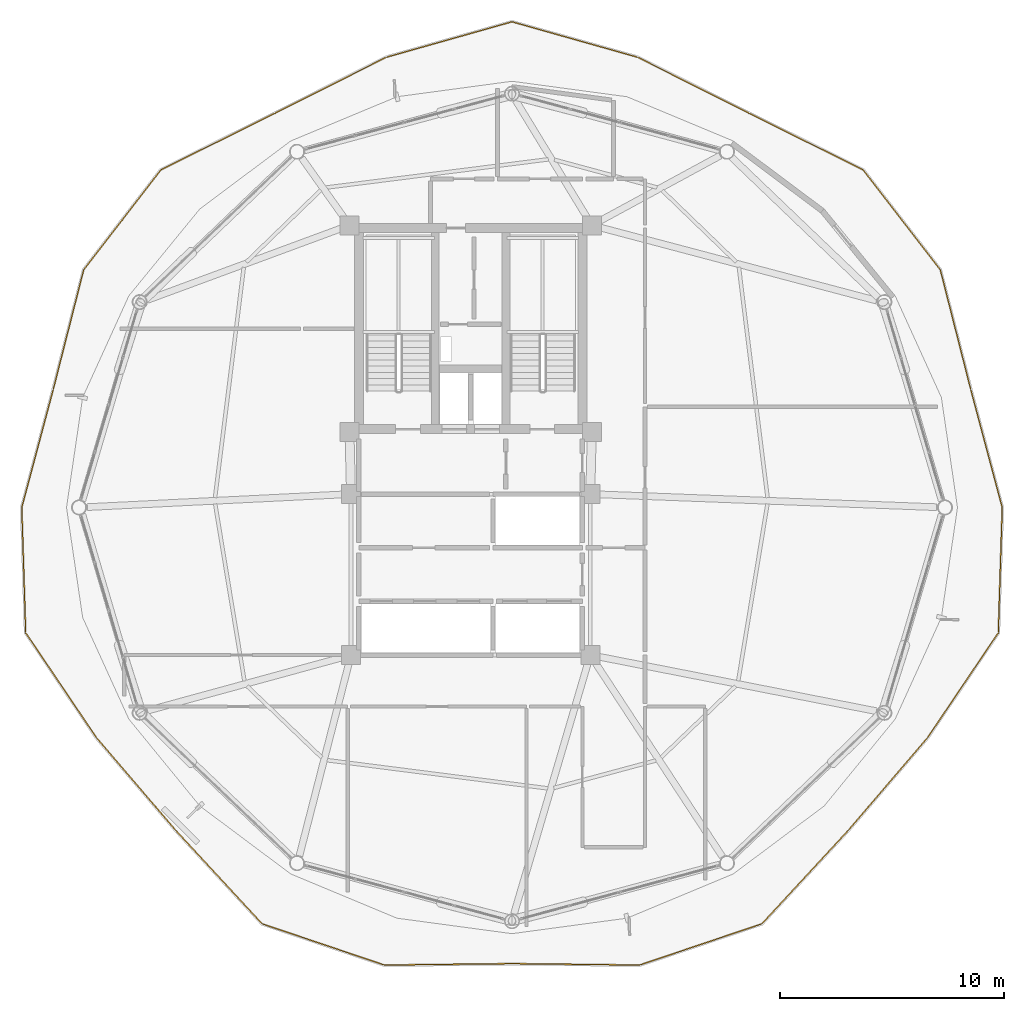
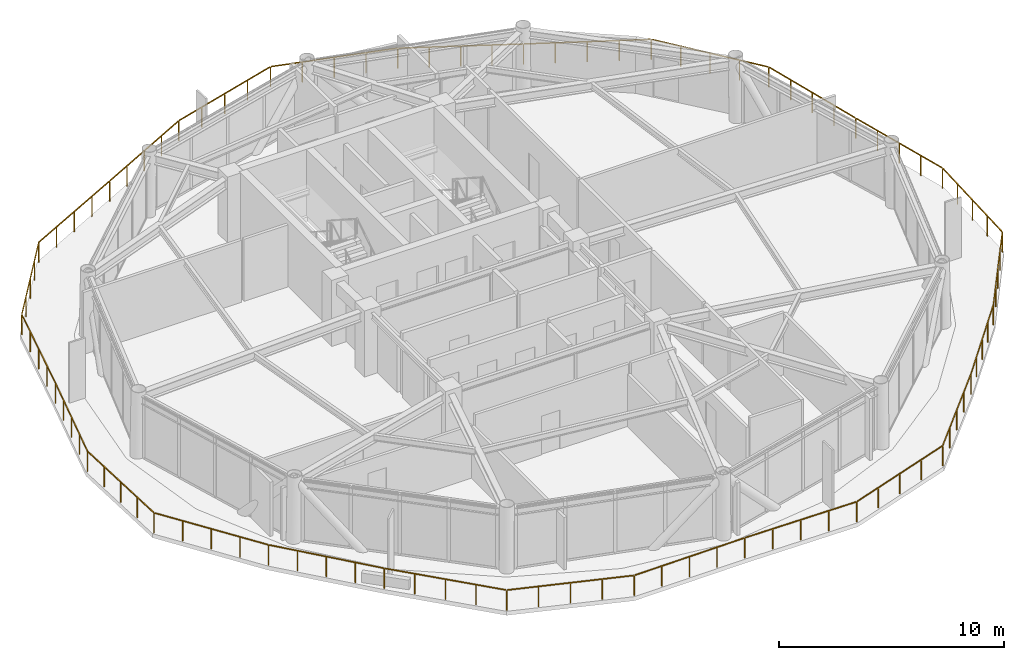
# One storey, part 27 of 28: 1 railing.
"""IFC4 building model written with IfcOpenShell, lengths in metres."""

import ifcopenshell
import ifcopenshell.guid

model = None  # the IFC model being written
_history = None  # IfcOwnerHistory: only IFC2X3 demands one
_inside = {}  # id of a spatial element -> (the spatial element, [elements in it])
_under = {}  # id of a project, library or spatial element -> (it, [spatial elements below it])
_declared = {}  # id of a project -> (the project, [libraries it declares])
_typed = {}  # id of a type object -> (the type object, [elements of that type])
_made_of = {}  # id of a material, layer set ... -> (it, [elements and type objects made of it])


def new_model(schema):
    """Start an empty IFC model of exactly this schema.

    Asked for "IFC4X3", IfcOpenShell would pick the latest addendum, in which some entities
    have other attributes; the version numbers below select the first issue.
    IFC2X3 requires an IfcOwnerHistory on every rooted entity: one is made here for all.
    """
    global model, _history
    if schema == "IFC4X3":
        model = ifcopenshell.file(schema_version=(4, 3, 0, 0))
    else:
        model = ifcopenshell.file(schema=schema)
    _inside.clear()
    _under.clear()
    _declared.clear()
    _typed.clear()
    _made_of.clear()
    _history = None
    if model.schema == "IFC2X3":
        org = make("IfcOrganization", Name="unknown")
        user = make(
            "IfcPersonAndOrganization",
            ThePerson=make("IfcPerson", FamilyName="unknown"),
            TheOrganization=org,
        )
        app = make(
            "IfcApplication",
            ApplicationDeveloper=org,
            Version="unknown",
            ApplicationFullName="unknown",
            ApplicationIdentifier="unknown",
        )
        _history = make(
            "IfcOwnerHistory",
            OwningUser=user,
            OwningApplication=app,
            ChangeAction="ADDED",
            CreationDate=0,
        )
    return model


def make(cls, **values):
    """One entity of the class cls with the attributes given. An attribute that is None is left unset."""
    return model.create_entity(
        cls, **{name: value for name, value in values.items() if value is not None}
    )


def rooted(cls, **values):
    """An entity with a GlobalId (a new one), such as an element, a storey or a relation."""
    return make(cls, GlobalId=ifcopenshell.guid.new(), OwnerHistory=_history, **values)


def si_unit(unit_type, name, prefix=None):
    """IfcSIUnit, for example si_unit("LENGTHUNIT", "METRE", prefix="MILLI")."""
    return make("IfcSIUnit", UnitType=unit_type, Prefix=prefix, Name=name)


def assignment(units):
    """IfcUnitAssignment: the units of a project."""
    return None if units is None else make("IfcUnitAssignment", Units=units)


def point(xyz):
    """IfcCartesianPoint."""
    return None if xyz is None else make("IfcCartesianPoint", Coordinates=xyz)


def direction(xyz):
    """IfcDirection."""
    return None if xyz is None else make("IfcDirection", DirectionRatios=xyz)


def frame(location, z_axis=None, x_axis=None):
    """IfcAxis2Placement3D, a coordinate frame: its origin and axes. An axis left out is left unset."""
    return make(
        "IfcAxis2Placement3D",
        Location=point(location),
        Axis=direction(z_axis),
        RefDirection=direction(x_axis),
    )


def frame_2d(location, x_axis=None):
    """IfcAxis2Placement2D, a coordinate frame in the plane: its origin and x axis."""
    return make(
        "IfcAxis2Placement2D", Location=point(location), RefDirection=direction(x_axis)
    )


def origin():
    """The frame at (0, 0, 0) with its axes left unset."""
    return frame((0.0, 0.0, 0.0))


def origin_2d():
    """The frame at (0, 0) in the plane with its x axis left unset."""
    return frame_2d((0.0, 0.0))


def place(relative_to, where):
    """IfcLocalPlacement: puts the frame where relative to a parent placement (None: the world)."""
    return make(
        "IfcLocalPlacement", PlacementRelTo=relative_to, RelativePlacement=where
    )


def context(
    kind, dimensions, precision=None, world=None, true_north=None, identifier=None
):
    """IfcGeometricRepresentationContext, for example the 3D "Model" context."""
    return make(
        "IfcGeometricRepresentationContext",
        ContextIdentifier=identifier,
        ContextType=kind,
        CoordinateSpaceDimension=dimensions,
        Precision=precision,
        WorldCoordinateSystem=world,
        TrueNorth=true_north,
    )


def subcontext(parent, identifier, kind, view, scale=None):
    """IfcGeometricRepresentationSubContext, for example "Body" below "Model"."""
    return make(
        "IfcGeometricRepresentationSubContext",
        ContextIdentifier=identifier,
        ContextType=kind,
        ParentContext=parent,
        TargetScale=scale,
        TargetView=view,
    )


def project(units=None, contexts=None):
    """IfcProject with its units and contexts."""
    return rooted(
        "IfcProject",
        Name="project",
        RepresentationContexts=contexts,
        UnitsInContext=assignment(units),
    )


def spatial(cls, under=None, at=None, **own):
    """A site, building, storey or space (cls), placed at a placement, below another one or the project."""
    s = rooted(cls, ObjectPlacement=at, **own)
    if under is not None:
        _under.setdefault(under.id(), (under, []))[1].append(s)
    return s


def profile(cls, at=None, kind="AREA", **sizes):
    """A parametric profile (cls). Its sizes go by their IFC names, for example OverallWidth=200.0."""
    return make(cls, ProfileType=kind, Position=at, **sizes)


def rectangle(**sizes):
    """IfcRectangleProfileDef."""
    return profile("IfcRectangleProfileDef", **sizes)


def extrude(swept, where, along, depth):
    """IfcExtrudedAreaSolid: the profile swept, set in the frame where, extruded along a direction by depth."""
    return make(
        "IfcExtrudedAreaSolid",
        SweptArea=swept,
        Position=where,
        ExtrudedDirection=direction(along),
        Depth=depth,
    )


def shape(context_of_items, identifier, shape_type, items):
    """IfcShapeRepresentation: the items that make up one representation, for example the "Body"."""
    return make(
        "IfcShapeRepresentation",
        ContextOfItems=context_of_items,
        RepresentationIdentifier=identifier,
        RepresentationType=shape_type,
        Items=items,
    )


def material(Name=None, Category=None):
    """IfcMaterial."""
    return make("IfcMaterial", Name=Name, Category=Category)


def made_of(thing, what):
    """Note that an element or type object is made of a material, layer set ...; save() writes the relation."""
    if what is not None:
        _made_of.setdefault(what.id(), (what, []))[1].append(thing)
    return thing


def type_object(cls, material=None, **own):
    """A type object (cls), such as IfcWallType, which elements share."""
    return made_of(rooted(cls, **own), material)


def element(
    cls,
    number,
    at=None,
    inside=None,
    cuts=None,
    type_object=None,
    material=None,
    context=None,
    identifier="Body",
    shape_type=None,
    held_by="IfcProductDefinitionShape",
    body=None,
    shapes=None,
    **own,
):
    """One element of the class cls, such as IfcWall. Its Tag is "e" and its number.

    at: its placement. inside: the storey or other place that contains it. cuts: it is an
    opening in that element (IfcRelVoidsElement). A single representation is given by context,
    identifier, shape_type and body (its items); several are given by shapes. held_by: the class
    of the entity that holds the representations. save() writes the other relations.
    """
    e = rooted(cls, Tag="e%d" % number, ObjectPlacement=at, **own)
    if body is not None:
        shapes = [shape(context, identifier, shape_type, body)]
    if shapes is not None:
        e.Representation = make(held_by, Representations=shapes)
    if inside is not None:
        _inside.setdefault(inside.id(), (inside, []))[1].append(e)
    if cuts is not None:
        rooted(
            "IfcRelVoidsElement", RelatingBuildingElement=cuts, RelatedOpeningElement=e
        )
    if type_object is not None:
        _typed.setdefault(type_object.id(), (type_object, []))[1].append(e)
    return made_of(e, material)


def aggregate(whole, parts):
    """IfcRelAggregates: a whole, such as a stair, and the parts it consists of."""
    return rooted("IfcRelAggregates", RelatingObject=whole, RelatedObjects=parts)


def save(model, path):
    """Write the relations noted so far, then the file.

    IfcRelAggregates (storeys below a building ...), IfcRelContainedInSpatialStructure (elements
    in a storey), IfcRelDefinesByType, IfcRelAssociatesMaterial and IfcRelDeclares: one each for
    every whole, place, type object, material and project.
    """
    for whole, parts in _under.values():
        aggregate(whole, parts)
    for where, things in _inside.values():
        rooted(
            "IfcRelContainedInSpatialStructure",
            RelatedElements=things,
            RelatingStructure=where,
        )
    for kind, things in _typed.values():
        rooted("IfcRelDefinesByType", RelatedObjects=things, RelatingType=kind)
    for what, things in _made_of.values():
        rooted("IfcRelAssociatesMaterial", RelatedObjects=things, RelatingMaterial=what)
    for by, libraries in _declared.values():
        rooted("IfcRelDeclares", RelatingContext=by, RelatedDefinitions=libraries)
    model.write(path)


model = new_model("IFC4")

# Units and contexts
model_context = context("Model", 3, precision=1e-05, world=origin(), true_north=direction((0.0, 1.0)))
body_context = subcontext(model_context, "Body", "Model", "MODEL_VIEW")
ifc_project = project(units=[si_unit("LENGTHUNIT", "METRE"), si_unit("AREAUNIT", "SQUARE_METRE"), si_unit("VOLUMEUNIT", "CUBIC_METRE"), si_unit("PLANEANGLEUNIT", "RADIAN"), si_unit("MASSUNIT", "GRAM", prefix="KILO")], contexts=[model_context])

# Site, building, storey
site_placement = place(None, origin())
site = spatial("IfcSite", under=ifc_project, at=site_placement, CompositionType="ELEMENT")
building_placement = place(site_placement, origin())
building = spatial("IfcBuilding", under=site, at=building_placement, Name="Varnakorn Sky Granary", CompositionType="ELEMENT")
storey_placement = place(building_placement, frame((0.0, 0.0, 200.39990234375)))
storey = spatial("IfcBuildingStorey", under=building, at=storey_placement, Name="L50", CompositionType="ELEMENT", Elevation=200.39990234375)

# Railing
ifc_material = material(Name="Anodised Bronze Aluminium Alloy 6063-T6", Category="aluminium")
railing_type = type_object("IfcRailingType", Name="RL-BAL-1120", PredefinedType="BALUSTRADE", material=ifc_material)
railing_placement = place(storey_placement, frame((26.77587890625, 0.0, 0.0)))
element("IfcRailing", 1, at=railing_placement, inside=storey, type_object=railing_type, Name="Wavy Growing Deck Guard Balustrade L50", PredefinedType="BALUSTRADE", context=body_context, shape_type="SweptSolid", body=[
    extrude(rectangle(XDim=0.048095703125, YDim=0.048095703125, at=origin_2d()), frame((-0.00732421875, 0.027099609375, 1.09619140625), z_axis=(-0.257604204925, 0.966250523211, 0.0), x_axis=(-0.966250523211, -0.257604204925, 0.0)), (0.0, 0.0, 1.0), 5.40380859375),
    extrude(rectangle(XDim=0.048095703125, YDim=0.048095703125, at=origin_2d()), frame((-1.413330078125, 5.302734375, 1.09619140625), z_axis=(-0.246650609192, 0.969104471657, 0.0), x_axis=(-0.969104471657, -0.246650609192, 0.0)), (0.0, 0.0, 1.0), 5.46923828125),
    extrude(rectangle(XDim=0.048095703125, YDim=0.048095703125, at=origin_2d()), frame((-2.786376953125, 10.65234375, 1.09619140625), z_axis=(-0.611308404744, 0.791392465399, 0.0), x_axis=(-0.791392465399, -0.611308404744, 0.0)), (0.0, 0.0, 1.0), 5.589111328125),
    extrude(rectangle(XDim=0.048095703125, YDim=0.048095703125, at=origin_2d()), frame((-6.245361328125, 15.110107421875, 1.09619140625), z_axis=(-0.895573837283, 0.444912915045, 0.0), x_axis=(-0.444912915045, -0.895573837283, 0.0)), (0.0, 0.0, 1.0), 5.635498046875),
    extrude(rectangle(XDim=0.048095703125, YDim=0.048095703125, at=origin_2d()), frame((-11.34228515625, 17.642333984375, 1.09619140625), z_axis=(-0.893568702607, 0.448926468056, 0.0), x_axis=(-0.448926468056, -0.893568702607, 0.0)), (0.0, 0.0, 1.0), 5.528564453125),
    extrude(rectangle(XDim=0.048095703125, YDim=0.048095703125, at=origin_2d()), frame((-16.33447265625, 20.14453125, 1.09619140625), z_axis=(-0.962390257626, 0.271670741941, 0.0), x_axis=(-0.271670741941, -0.962390257626, 0.0)), (0.0, 0.0, 1.0), 5.78173828125),
    extrude(rectangle(XDim=0.048095703125, YDim=0.048095703125, at=origin_2d()), frame((-21.95263671875, 21.71533203125, 1.09619140625), z_axis=(-0.962393344056, -0.271659808064, 0.0), x_axis=(0.271659808064, -0.962393344056, 0.0)), (0.0, 0.0, 1.0), 5.781982421875),
    extrude(rectangle(XDim=0.048095703125, YDim=0.048095703125, at=origin_2d()), frame((-27.569091796875, 20.12451171875, 1.09619140625), z_axis=(-0.893568702607, -0.448926468056, 0.0), x_axis=(0.448926468056, -0.893568702607, 0.0)), (0.0, 0.0, 1.0), 5.528564453125),
    extrude(rectangle(XDim=0.048095703125, YDim=0.048095703125, at=origin_2d()), frame((-32.5595703125, 17.617431640625, 1.09619140625), z_axis=(-0.895573837283, -0.444912915045, 0.0), x_axis=(0.444912915045, -0.895573837283, 0.0)), (0.0, 0.0, 1.0), 5.635498046875),
    extrude(rectangle(XDim=0.048095703125, YDim=0.048095703125, at=origin_2d()), frame((-37.648681640625, 15.075439453125, 1.09619140625), z_axis=(-0.611308404744, -0.791392465399, 0.0), x_axis=(0.791392465399, -0.611308404744, 0.0)), (0.0, 0.0, 1.0), 5.589111328125),
    extrude(rectangle(XDim=0.048095703125, YDim=0.048095703125, at=origin_2d()), frame((-41.08935546875, 10.60302734375, 1.09619140625), z_axis=(-0.246650609192, -0.969104471657, 0.0), x_axis=(0.969104471657, -0.246650609192, 0.0)), (0.0, 0.0, 1.0), 5.46923828125),
    extrude(rectangle(XDim=0.048095703125, YDim=0.048095703125, at=origin_2d()), frame((-42.45263671875, 5.24853515625, 1.09619140625), z_axis=(-0.257604204925, -0.966250523211, 0.0), x_axis=(0.966250523211, -0.257604204925, 0.0)), (0.0, 0.0, 1.0), 5.40380859375),
    extrude(rectangle(XDim=0.048095703125, YDim=0.048095703125, at=origin_2d()), frame((-43.850830078125, -0.028076171875, 1.09619140625), z_axis=(0.031211649145, -0.999512797796, 0.0), x_axis=(0.999512797796, 0.031211649145, 0.0)), (0.0, 0.0, 1.0), 5.552490234375),
    extrude(rectangle(XDim=0.048095703125, YDim=0.048095703125, at=origin_2d()), frame((-43.6611328125, -5.62890625, 1.09619140625), z_axis=(0.55910031357, -0.829100017709, 0.0), x_axis=(0.829100017709, 0.55910031357, 0.0)), (0.0, 0.0, 1.0), 5.606201171875),
    extrude(rectangle(XDim=0.048095703125, YDim=0.048095703125, at=origin_2d()), frame((-40.49267578125, -10.321533203125, 1.09619140625), z_axis=(0.650067333026, -0.75987661007, 0.0), x_axis=(0.75987661007, 0.650067333026, 0.0)), (0.0, 0.0, 1.0), 5.388916015625),
    extrude(rectangle(XDim=0.048095703125, YDim=0.048095703125, at=origin_2d()), frame((-36.952392578125, -14.458251953125, 1.09619140625), z_axis=(0.678758923481, -0.734361167134, 0.0), x_axis=(0.734361167134, 0.678758923481, 0.0)), (0.0, 0.0, 1.0), 5.638916015625),
    extrude(rectangle(XDim=0.048095703125, YDim=0.048095703125, at=origin_2d()), frame((-33.079345703125, -18.62890625, 1.09619140625), z_axis=(0.947497561011, -0.319762993292, 0.0), x_axis=(0.319762993292, 0.947497561011, 0.0)), (0.0, 0.0, 1.0), 5.720703125),
    extrude(rectangle(XDim=0.048095703125, YDim=0.048095703125, at=origin_2d()), frame((-27.6044921875, -20.466796875, 1.09619140625), z_axis=(0.999937190053, 0.011207852141, 0.0), x_axis=(-0.011207852141, 0.999937190053, 0.0)), (0.0, 0.0, 1.0), 5.651123046875),
    extrude(rectangle(XDim=0.048095703125, YDim=0.048095703125, at=origin_2d()), frame((-21.897705078125, -20.4033203125, 1.09619140625), z_axis=(0.999937184679, -0.011208331581, 0.0), x_axis=(0.011208331581, 0.999937184679, 0.0)), (0.0, 0.0, 1.0), 5.65087890625),
    extrude(rectangle(XDim=0.048095703125, YDim=0.048095703125, at=origin_2d()), frame((-16.192626953125, -20.4580078125, 1.09619140625), z_axis=(0.947497561011, 0.319762993292, 0.0), x_axis=(-0.319762993292, 0.947497561011, 0.0)), (0.0, 0.0, 1.0), 5.720703125),
    extrude(rectangle(XDim=0.048095703125, YDim=0.048095703125, at=origin_2d()), frame((-10.726806640625, -18.599365234375, 1.09619140625), z_axis=(0.678758923481, 0.734361167134, 0.0), x_axis=(-0.734361167134, 0.678758923481, 0.0)), (0.0, 0.0, 1.0), 5.638916015625),
    extrude(rectangle(XDim=0.048095703125, YDim=0.048095703125, at=origin_2d()), frame((-6.862060546875, -14.41650390625, 1.09619140625), z_axis=(0.650067333026, 0.75987661007, 0.0), x_axis=(-0.75987661007, 0.650067333026, 0.0)), (0.0, 0.0, 1.0), 5.388916015625),
    extrude(rectangle(XDim=0.048095703125, YDim=0.048095703125, at=origin_2d()), frame((-3.3251953125, -10.277099609375, 1.09619140625), z_axis=(0.559129951534, 0.829080030695, 0.0), x_axis=(-0.829080030695, 0.559129951534, 0.0)), (0.0, 0.0, 1.0), 5.6064453125),
    extrude(rectangle(XDim=0.048095703125, YDim=0.048095703125, at=origin_2d()), frame((-0.173828125, -5.57763671875, 1.09619140625), z_axis=(0.031168160571, 0.999514154861, 0.0), x_axis=(-0.999514154861, 0.031168160571, 0.0)), (0.0, 0.0, 1.0), 5.552490234375),
    extrude(rectangle(XDim=0.0419921875, YDim=0.0419921875, at=origin_2d()), origin(), (0.0, 0.0, 1.0), 1.068115234375),
    extrude(rectangle(XDim=0.0419921875, YDim=0.0419921875, at=origin_2d()), frame((-0.3515625, 1.31884765625, 0.0)), (0.0, 0.0, 1.0), 1.068115234375),
    extrude(rectangle(XDim=0.0419921875, YDim=0.0419921875, at=origin_2d()), frame((-0.703125, 2.6376953125, 0.0)), (0.0, 0.0, 1.0), 1.068115234375),
    extrude(rectangle(XDim=0.0419921875, YDim=0.0419921875, at=origin_2d()), frame((-1.054931640625, 3.956787109375, 0.0)), (0.0, 0.0, 1.0), 1.068115234375),
    extrude(rectangle(XDim=0.0419921875, YDim=0.0419921875, at=origin_2d()), frame((-1.406494140625, 5.275634765625, 0.0)), (0.0, 0.0, 1.0), 1.068115234375),
    extrude(rectangle(XDim=0.0419921875, YDim=0.0419921875, at=origin_2d()), frame((-1.7470703125, 6.6142578125, 0.0)), (0.0, 0.0, 1.0), 1.068115234375),
    extrude(rectangle(XDim=0.0419921875, YDim=0.0419921875, at=origin_2d()), frame((-2.087890625, 7.952880859375, 0.0)), (0.0, 0.0, 1.0), 1.068115234375),
    extrude(rectangle(XDim=0.0419921875, YDim=0.0419921875, at=origin_2d()), frame((-2.4287109375, 9.29150390625, 0.0)), (0.0, 0.0, 1.0), 1.068115234375),
    extrude(rectangle(XDim=0.0419921875, YDim=0.0419921875, at=origin_2d()), frame((-2.769287109375, 10.630126953125, 0.0)), (0.0, 0.0, 1.0), 1.068115234375),
    extrude(rectangle(XDim=0.0419921875, YDim=0.0419921875, at=origin_2d()), frame((-3.632080078125, 11.7470703125, 0.0)), (0.0, 0.0, 1.0), 1.068115234375),
    extrude(rectangle(XDim=0.0419921875, YDim=0.0419921875, at=origin_2d()), frame((-4.49462890625, 12.86376953125, 0.0)), (0.0, 0.0, 1.0), 1.068115234375),
    extrude(rectangle(XDim=0.0419921875, YDim=0.0419921875, at=origin_2d()), frame((-5.357421875, 13.980712890625, 0.0)), (0.0, 0.0, 1.0), 1.068115234375),
    extrude(rectangle(XDim=0.0419921875, YDim=0.0419921875, at=origin_2d()), frame((-6.22021484375, 15.09765625, 0.0)), (0.0, 0.0, 1.0), 1.068115234375),
    extrude(rectangle(XDim=0.0419921875, YDim=0.0419921875, at=origin_2d()), frame((-7.49462890625, 15.730712890625, 0.0)), (0.0, 0.0, 1.0), 1.068115234375),
    extrude(rectangle(XDim=0.0419921875, YDim=0.0419921875, at=origin_2d()), frame((-8.768798828125, 16.36376953125, 0.0)), (0.0, 0.0, 1.0), 1.068115234375),
    extrude(rectangle(XDim=0.0419921875, YDim=0.0419921875, at=origin_2d()), frame((-10.04296875, 16.996826171875, 0.0)), (0.0, 0.0, 1.0), 1.068115234375),
    extrude(rectangle(XDim=0.0419921875, YDim=0.0419921875, at=origin_2d()), frame((-11.3173828125, 17.6298828125, 0.0)), (0.0, 0.0, 1.0), 1.068115234375),
    extrude(rectangle(XDim=0.0419921875, YDim=0.0419921875, at=origin_2d()), frame((-12.56494140625, 18.256591796875, 0.0)), (0.0, 0.0, 1.0), 1.068115234375),
    extrude(rectangle(XDim=0.0419921875, YDim=0.0419921875, at=origin_2d()), frame((-13.8125, 18.88330078125, 0.0)), (0.0, 0.0, 1.0), 1.068115234375),
    extrude(rectangle(XDim=0.0419921875, YDim=0.0419921875, at=origin_2d()), frame((-15.06005859375, 19.51025390625, 0.0)), (0.0, 0.0, 1.0), 1.068115234375),
    extrude(rectangle(XDim=0.0419921875, YDim=0.0419921875, at=origin_2d()), frame((-16.3076171875, 20.136962890625, 0.0)), (0.0, 0.0, 1.0), 1.068115234375),
    extrude(rectangle(XDim=0.0419921875, YDim=0.0419921875, at=origin_2d()), frame((-17.712158203125, 20.533447265625, 0.0)), (0.0, 0.0, 1.0), 1.068115234375),
    extrude(rectangle(XDim=0.0419921875, YDim=0.0419921875, at=origin_2d()), frame((-19.11669921875, 20.929931640625, 0.0)), (0.0, 0.0, 1.0), 1.068115234375),
    extrude(rectangle(XDim=0.0419921875, YDim=0.0419921875, at=origin_2d()), frame((-20.521240234375, 21.326416015625, 0.0)), (0.0, 0.0, 1.0), 1.068115234375),
    extrude(rectangle(XDim=0.0419921875, YDim=0.0419921875, at=origin_2d()), frame((-21.92578125, 21.722900390625, 0.0)), (0.0, 0.0, 1.0), 1.068115234375),
    extrude(rectangle(XDim=0.0419921875, YDim=0.0419921875, at=origin_2d()), frame((-23.330322265625, 21.326416015625, 0.0)), (0.0, 0.0, 1.0), 1.068115234375),
    extrude(rectangle(XDim=0.0419921875, YDim=0.0419921875, at=origin_2d()), frame((-24.73486328125, 20.929931640625, 0.0)), (0.0, 0.0, 1.0), 1.068115234375),
    extrude(rectangle(XDim=0.0419921875, YDim=0.0419921875, at=origin_2d()), frame((-26.1396484375, 20.533447265625, 0.0)), (0.0, 0.0, 1.0), 1.068115234375),
    extrude(rectangle(XDim=0.0419921875, YDim=0.0419921875, at=origin_2d()), frame((-27.544189453125, 20.136962890625, 0.0)), (0.0, 0.0, 1.0), 1.068115234375),
    extrude(rectangle(XDim=0.0419921875, YDim=0.0419921875, at=origin_2d()), frame((-28.791748046875, 19.51025390625, 0.0)), (0.0, 0.0, 1.0), 1.068115234375),
    extrude(rectangle(XDim=0.0419921875, YDim=0.0419921875, at=origin_2d()), frame((-30.039306640625, 18.88330078125, 0.0)), (0.0, 0.0, 1.0), 1.068115234375),
    extrude(rectangle(XDim=0.0419921875, YDim=0.0419921875, at=origin_2d()), frame((-31.286865234375, 18.256591796875, 0.0)), (0.0, 0.0, 1.0), 1.068115234375),
    extrude(rectangle(XDim=0.0419921875, YDim=0.0419921875, at=origin_2d()), frame((-32.534423828125, 17.6298828125, 0.0)), (0.0, 0.0, 1.0), 1.068115234375),
    extrude(rectangle(XDim=0.0419921875, YDim=0.0419921875, at=origin_2d()), frame((-33.80859375, 16.996826171875, 0.0)), (0.0, 0.0, 1.0), 1.068115234375),
    extrude(rectangle(XDim=0.0419921875, YDim=0.0419921875, at=origin_2d()), frame((-35.0830078125, 16.36376953125, 0.0)), (0.0, 0.0, 1.0), 1.068115234375),
    extrude(rectangle(XDim=0.0419921875, YDim=0.0419921875, at=origin_2d()), frame((-36.357421875, 15.730712890625, 0.0)), (0.0, 0.0, 1.0), 1.068115234375),
    extrude(rectangle(XDim=0.0419921875, YDim=0.0419921875, at=origin_2d()), frame((-37.631591796875, 15.09765625, 0.0)), (0.0, 0.0, 1.0), 1.068115234375),
    extrude(rectangle(XDim=0.0419921875, YDim=0.0419921875, at=origin_2d()), frame((-38.494384765625, 13.980712890625, 0.0)), (0.0, 0.0, 1.0), 1.068115234375),
    extrude(rectangle(XDim=0.0419921875, YDim=0.0419921875, at=origin_2d()), frame((-39.35693359375, 12.86376953125, 0.0)), (0.0, 0.0, 1.0), 1.068115234375),
    extrude(rectangle(XDim=0.0419921875, YDim=0.0419921875, at=origin_2d()), frame((-40.2197265625, 11.7470703125, 0.0)), (0.0, 0.0, 1.0), 1.068115234375),
    extrude(rectangle(XDim=0.0419921875, YDim=0.0419921875, at=origin_2d()), frame((-41.08251953125, 10.630126953125, 0.0)), (0.0, 0.0, 1.0), 1.068115234375),
    extrude(rectangle(XDim=0.0419921875, YDim=0.0419921875, at=origin_2d()), frame((-41.42333984375, 9.29150390625, 0.0)), (0.0, 0.0, 1.0), 1.068115234375),
    extrude(rectangle(XDim=0.0419921875, YDim=0.0419921875, at=origin_2d()), frame((-41.763916015625, 7.952880859375, 0.0)), (0.0, 0.0, 1.0), 1.068115234375),
    extrude(rectangle(XDim=0.0419921875, YDim=0.0419921875, at=origin_2d()), frame((-42.1044921875, 6.6142578125, 0.0)), (0.0, 0.0, 1.0), 1.068115234375),
    extrude(rectangle(XDim=0.0419921875, YDim=0.0419921875, at=origin_2d()), frame((-42.4453125, 5.275634765625, 0.0)), (0.0, 0.0, 1.0), 1.068115234375),
    extrude(rectangle(XDim=0.0419921875, YDim=0.0419921875, at=origin_2d()), frame((-42.796875, 3.956787109375, 0.0)), (0.0, 0.0, 1.0), 1.068115234375),
    extrude(rectangle(XDim=0.0419921875, YDim=0.0419921875, at=origin_2d()), frame((-43.1484375, 2.6376953125, 0.0)), (0.0, 0.0, 1.0), 1.068115234375),
    extrude(rectangle(XDim=0.0419921875, YDim=0.0419921875, at=origin_2d()), frame((-43.500244140625, 1.31884765625, 0.0)), (0.0, 0.0, 1.0), 1.068115234375),
    extrude(rectangle(XDim=0.0419921875, YDim=0.0419921875, at=origin_2d()), frame((-43.851806640625, 0.0, 0.0)), (0.0, 0.0, 1.0), 1.068115234375),
    extrude(rectangle(XDim=0.0419921875, YDim=0.0419921875, at=origin_2d()), frame((-43.80810546875, -1.4013671875, 0.0)), (0.0, 0.0, 1.0), 1.068115234375),
    extrude(rectangle(XDim=0.0419921875, YDim=0.0419921875, at=origin_2d()), frame((-43.76416015625, -2.802734375, 0.0)), (0.0, 0.0, 1.0), 1.068115234375),
    extrude(rectangle(XDim=0.0419921875, YDim=0.0419921875, at=origin_2d()), frame((-43.720458984375, -4.204345703125, 0.0)), (0.0, 0.0, 1.0), 1.068115234375),
    extrude(rectangle(XDim=0.0419921875, YDim=0.0419921875, at=origin_2d()), frame((-43.6767578125, -5.605712890625, 0.0)), (0.0, 0.0, 1.0), 1.068115234375),
    extrude(rectangle(XDim=0.0419921875, YDim=0.0419921875, at=origin_2d()), frame((-42.88525390625, -6.779296875, 0.0)), (0.0, 0.0, 1.0), 1.068115234375),
    extrude(rectangle(XDim=0.0419921875, YDim=0.0419921875, at=origin_2d()), frame((-42.09375, -7.953125, 0.0)), (0.0, 0.0, 1.0), 1.068115234375),
    extrude(rectangle(XDim=0.0419921875, YDim=0.0419921875, at=origin_2d()), frame((-41.302490234375, -9.126708984375, 0.0)), (0.0, 0.0, 1.0), 1.068115234375),
    extrude(rectangle(XDim=0.0419921875, YDim=0.0419921875, at=origin_2d()), frame((-40.510986328125, -10.30029296875, 0.0)), (0.0, 0.0, 1.0), 1.068115234375),
    extrude(rectangle(XDim=0.0419921875, YDim=0.0419921875, at=origin_2d()), frame((-39.6259765625, -11.334716796875, 0.0)), (0.0, 0.0, 1.0), 1.068115234375),
    extrude(rectangle(XDim=0.0419921875, YDim=0.0419921875, at=origin_2d()), frame((-38.7412109375, -12.369140625, 0.0)), (0.0, 0.0, 1.0), 1.068115234375),
    extrude(rectangle(XDim=0.0419921875, YDim=0.0419921875, at=origin_2d()), frame((-37.8564453125, -13.4033203125, 0.0)), (0.0, 0.0, 1.0), 1.068115234375),
    extrude(rectangle(XDim=0.0419921875, YDim=0.0419921875, at=origin_2d()), frame((-36.971435546875, -14.437744140625, 0.0)), (0.0, 0.0, 1.0), 1.068115234375),
    extrude(rectangle(XDim=0.0419921875, YDim=0.0419921875, at=origin_2d()), frame((-36.005126953125, -15.4833984375, 0.0)), (0.0, 0.0, 1.0), 1.068115234375),
    extrude(rectangle(XDim=0.0419921875, YDim=0.0419921875, at=origin_2d()), frame((-35.03857421875, -16.52880859375, 0.0)), (0.0, 0.0, 1.0), 1.068115234375),
    extrude(rectangle(XDim=0.0419921875, YDim=0.0419921875, at=origin_2d()), frame((-34.072265625, -17.57421875, 0.0)), (0.0, 0.0, 1.0), 1.068115234375),
    extrude(rectangle(XDim=0.0419921875, YDim=0.0419921875, at=origin_2d()), frame((-33.10595703125, -18.619873046875, 0.0)), (0.0, 0.0, 1.0), 1.068115234375),
    extrude(rectangle(XDim=0.0419921875, YDim=0.0419921875, at=origin_2d()), frame((-31.737548828125, -19.08154296875, 0.0)), (0.0, 0.0, 1.0), 1.068115234375),
    extrude(rectangle(XDim=0.0419921875, YDim=0.0419921875, at=origin_2d()), frame((-30.369140625, -19.54345703125, 0.0)), (0.0, 0.0, 1.0), 1.068115234375),
    extrude(rectangle(XDim=0.0419921875, YDim=0.0419921875, at=origin_2d()), frame((-29.0009765625, -20.00537109375, 0.0)), (0.0, 0.0, 1.0), 1.068115234375),
    extrude(rectangle(XDim=0.0419921875, YDim=0.0419921875, at=origin_2d()), frame((-27.632568359375, -20.467041015625, 0.0)), (0.0, 0.0, 1.0), 1.068115234375),
    extrude(rectangle(XDim=0.0419921875, YDim=0.0419921875, at=origin_2d()), frame((-26.205810546875, -20.451171875, 0.0)), (0.0, 0.0, 1.0), 1.068115234375),
    extrude(rectangle(XDim=0.0419921875, YDim=0.0419921875, at=origin_2d()), frame((-24.779296875, -20.43505859375, 0.0)), (0.0, 0.0, 1.0), 1.068115234375),
    extrude(rectangle(XDim=0.0419921875, YDim=0.0419921875, at=origin_2d()), frame((-23.3525390625, -20.4189453125, 0.0)), (0.0, 0.0, 1.0), 1.068115234375),
    extrude(rectangle(XDim=0.0419921875, YDim=0.0419921875, at=origin_2d()), frame((-21.92578125, -20.403076171875, 0.0)), (0.0, 0.0, 1.0), 1.068115234375),
    extrude(rectangle(XDim=0.0419921875, YDim=0.0419921875, at=origin_2d()), frame((-20.4990234375, -20.4189453125, 0.0)), (0.0, 0.0, 1.0), 1.068115234375),
    extrude(rectangle(XDim=0.0419921875, YDim=0.0419921875, at=origin_2d()), frame((-19.072509765625, -20.43505859375, 0.0)), (0.0, 0.0, 1.0), 1.068115234375),
    extrude(rectangle(XDim=0.0419921875, YDim=0.0419921875, at=origin_2d()), frame((-17.64599609375, -20.451171875, 0.0)), (0.0, 0.0, 1.0), 1.068115234375),
    extrude(rectangle(XDim=0.0419921875, YDim=0.0419921875, at=origin_2d()), frame((-16.21923828125, -20.467041015625, 0.0)), (0.0, 0.0, 1.0), 1.068115234375),
    extrude(rectangle(XDim=0.0419921875, YDim=0.0419921875, at=origin_2d()), frame((-14.850830078125, -20.00537109375, 0.0)), (0.0, 0.0, 1.0), 1.068115234375),
    extrude(rectangle(XDim=0.0419921875, YDim=0.0419921875, at=origin_2d()), frame((-13.482421875, -19.54345703125, 0.0)), (0.0, 0.0, 1.0), 1.068115234375),
    extrude(rectangle(XDim=0.0419921875, YDim=0.0419921875, at=origin_2d()), frame((-12.1142578125, -19.08154296875, 0.0)), (0.0, 0.0, 1.0), 1.068115234375),
    extrude(rectangle(XDim=0.0419921875, YDim=0.0419921875, at=origin_2d()), frame((-10.745849609375, -18.619873046875, 0.0)), (0.0, 0.0, 1.0), 1.068115234375),
    extrude(rectangle(XDim=0.0419921875, YDim=0.0419921875, at=origin_2d()), frame((-9.779541015625, -17.57421875, 0.0)), (0.0, 0.0, 1.0), 1.068115234375),
    extrude(rectangle(XDim=0.0419921875, YDim=0.0419921875, at=origin_2d()), frame((-8.81298828125, -16.52880859375, 0.0)), (0.0, 0.0, 1.0), 1.068115234375),
    extrude(rectangle(XDim=0.0419921875, YDim=0.0419921875, at=origin_2d()), frame((-7.8466796875, -15.4833984375, 0.0)), (0.0, 0.0, 1.0), 1.068115234375),
    extrude(rectangle(XDim=0.0419921875, YDim=0.0419921875, at=origin_2d()), frame((-6.88037109375, -14.437744140625, 0.0)), (0.0, 0.0, 1.0), 1.068115234375),
    extrude(rectangle(XDim=0.0419921875, YDim=0.0419921875, at=origin_2d()), frame((-5.99560546875, -13.4033203125, 0.0)), (0.0, 0.0, 1.0), 1.068115234375),
    extrude(rectangle(XDim=0.0419921875, YDim=0.0419921875, at=origin_2d()), frame((-5.110595703125, -12.369140625, 0.0)), (0.0, 0.0, 1.0), 1.068115234375),
    extrude(rectangle(XDim=0.0419921875, YDim=0.0419921875, at=origin_2d()), frame((-4.2255859375, -11.334716796875, 0.0)), (0.0, 0.0, 1.0), 1.068115234375),
    extrude(rectangle(XDim=0.0419921875, YDim=0.0419921875, at=origin_2d()), frame((-3.3408203125, -10.30029296875, 0.0)), (0.0, 0.0, 1.0), 1.068115234375),
    extrude(rectangle(XDim=0.0419921875, YDim=0.0419921875, at=origin_2d()), frame((-2.54931640625, -9.126708984375, 0.0)), (0.0, 0.0, 1.0), 1.068115234375),
    extrude(rectangle(XDim=0.0419921875, YDim=0.0419921875, at=origin_2d()), frame((-1.7578125, -7.953125, 0.0)), (0.0, 0.0, 1.0), 1.068115234375),
    extrude(rectangle(XDim=0.0419921875, YDim=0.0419921875, at=origin_2d()), frame((-0.96630859375, -6.779296875, 0.0)), (0.0, 0.0, 1.0), 1.068115234375),
    extrude(rectangle(XDim=0.0419921875, YDim=0.0419921875, at=origin_2d()), frame((-0.1748046875, -5.605712890625, 0.0)), (0.0, 0.0, 1.0), 1.068115234375),
    extrude(rectangle(XDim=0.0419921875, YDim=0.0419921875, at=origin_2d()), frame((-0.131103515625, -4.204345703125, 0.0)), (0.0, 0.0, 1.0), 1.068115234375),
    extrude(rectangle(XDim=0.0419921875, YDim=0.0419921875, at=origin_2d()), frame((-0.08740234375, -2.802734375, 0.0)), (0.0, 0.0, 1.0), 1.068115234375),
    extrude(rectangle(XDim=0.0419921875, YDim=0.0419921875, at=origin_2d()), frame((-0.043701171875, -1.4013671875, 0.0)), (0.0, 0.0, 1.0), 1.068115234375),
])

save(model, "model.ifc")
